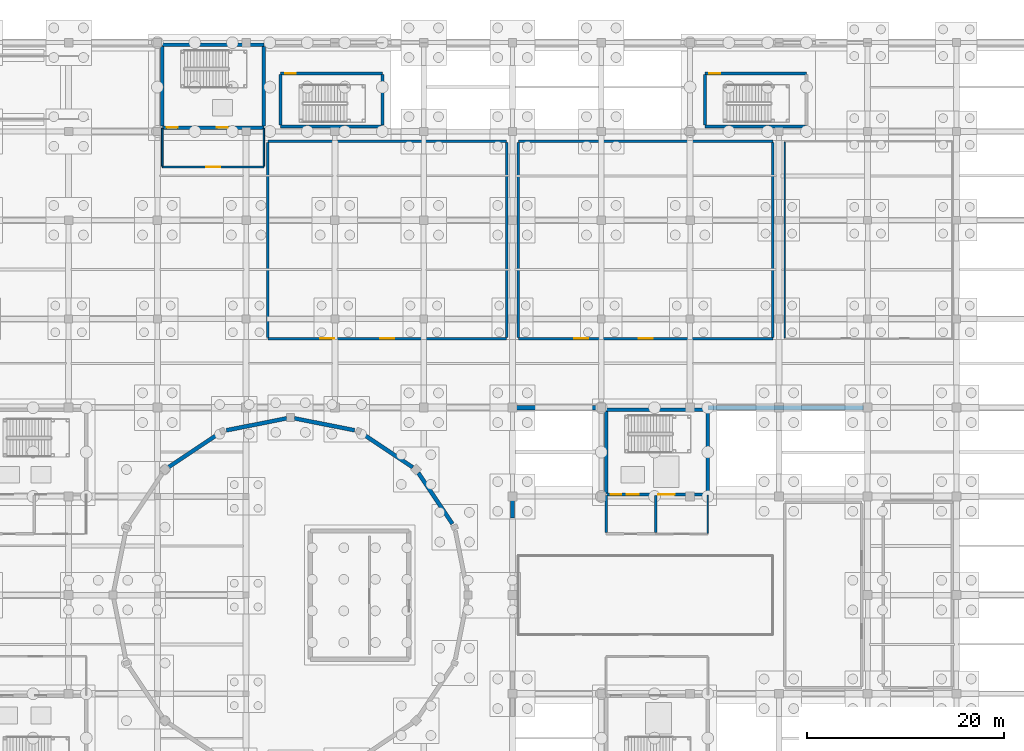
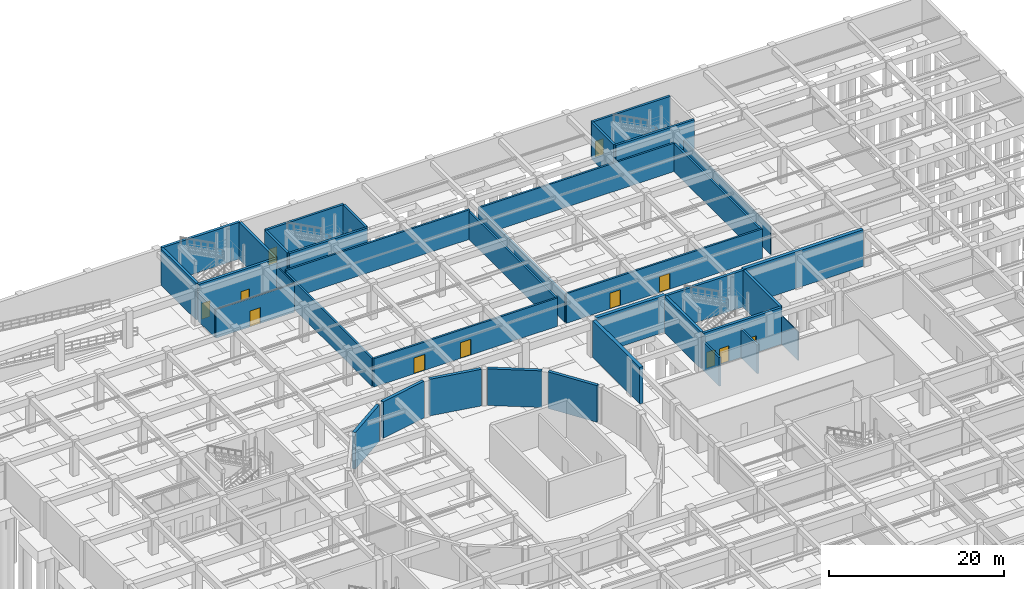
# One storey, part 47 of 62: 38 walls, 12 doors, 12 openings.
"""IFC4 building model written with IfcOpenShell, lengths in metres."""

import ifcopenshell
import ifcopenshell.guid

model = None  # the IFC model being written
_history = None  # IfcOwnerHistory: only IFC2X3 demands one
_inside = {}  # id of a spatial element -> (the spatial element, [elements in it])
_under = {}  # id of a project, library or spatial element -> (it, [spatial elements below it])
_declared = {}  # id of a project -> (the project, [libraries it declares])
_typed = {}  # id of a type object -> (the type object, [elements of that type])
_made_of = {}  # id of a material, layer set ... -> (it, [elements and type objects made of it])


def new_model(schema):
    """Start an empty IFC model of exactly this schema.

    Asked for "IFC4X3", IfcOpenShell would pick the latest addendum, in which some entities
    have other attributes; the version numbers below select the first issue.
    IFC2X3 requires an IfcOwnerHistory on every rooted entity: one is made here for all.
    """
    global model, _history
    if schema == "IFC4X3":
        model = ifcopenshell.file(schema_version=(4, 3, 0, 0))
    else:
        model = ifcopenshell.file(schema=schema)
    _inside.clear()
    _under.clear()
    _declared.clear()
    _typed.clear()
    _made_of.clear()
    _history = None
    if model.schema == "IFC2X3":
        org = make("IfcOrganization", Name="unknown")
        user = make(
            "IfcPersonAndOrganization",
            ThePerson=make("IfcPerson", FamilyName="unknown"),
            TheOrganization=org,
        )
        app = make(
            "IfcApplication",
            ApplicationDeveloper=org,
            Version="unknown",
            ApplicationFullName="unknown",
            ApplicationIdentifier="unknown",
        )
        _history = make(
            "IfcOwnerHistory",
            OwningUser=user,
            OwningApplication=app,
            ChangeAction="ADDED",
            CreationDate=0,
        )
    return model


def make(cls, **values):
    """One entity of the class cls with the attributes given. An attribute that is None is left unset."""
    return model.create_entity(
        cls, **{name: value for name, value in values.items() if value is not None}
    )


def rooted(cls, **values):
    """An entity with a GlobalId (a new one), such as an element, a storey or a relation."""
    return make(cls, GlobalId=ifcopenshell.guid.new(), OwnerHistory=_history, **values)


def si_unit(unit_type, name, prefix=None):
    """IfcSIUnit, for example si_unit("LENGTHUNIT", "METRE", prefix="MILLI")."""
    return make("IfcSIUnit", UnitType=unit_type, Prefix=prefix, Name=name)


def assignment(units):
    """IfcUnitAssignment: the units of a project."""
    return None if units is None else make("IfcUnitAssignment", Units=units)


def point(xyz):
    """IfcCartesianPoint."""
    return None if xyz is None else make("IfcCartesianPoint", Coordinates=xyz)


def direction(xyz):
    """IfcDirection."""
    return None if xyz is None else make("IfcDirection", DirectionRatios=xyz)


def frame(location, z_axis=None, x_axis=None):
    """IfcAxis2Placement3D, a coordinate frame: its origin and axes. An axis left out is left unset."""
    return make(
        "IfcAxis2Placement3D",
        Location=point(location),
        Axis=direction(z_axis),
        RefDirection=direction(x_axis),
    )


def frame_2d(location, x_axis=None):
    """IfcAxis2Placement2D, a coordinate frame in the plane: its origin and x axis."""
    return make(
        "IfcAxis2Placement2D", Location=point(location), RefDirection=direction(x_axis)
    )


def origin():
    """The frame at (0, 0, 0) with its axes left unset."""
    return frame((0.0, 0.0, 0.0))


def place(relative_to, where):
    """IfcLocalPlacement: puts the frame where relative to a parent placement (None: the world)."""
    return make(
        "IfcLocalPlacement", PlacementRelTo=relative_to, RelativePlacement=where
    )


def context(
    kind, dimensions, precision=None, world=None, true_north=None, identifier=None
):
    """IfcGeometricRepresentationContext, for example the 3D "Model" context."""
    return make(
        "IfcGeometricRepresentationContext",
        ContextIdentifier=identifier,
        ContextType=kind,
        CoordinateSpaceDimension=dimensions,
        Precision=precision,
        WorldCoordinateSystem=world,
        TrueNorth=true_north,
    )


def subcontext(parent, identifier, kind, view, scale=None):
    """IfcGeometricRepresentationSubContext, for example "Body" below "Model"."""
    return make(
        "IfcGeometricRepresentationSubContext",
        ContextIdentifier=identifier,
        ContextType=kind,
        ParentContext=parent,
        TargetScale=scale,
        TargetView=view,
    )


def project(units=None, contexts=None):
    """IfcProject with its units and contexts."""
    return rooted(
        "IfcProject",
        Name="project",
        RepresentationContexts=contexts,
        UnitsInContext=assignment(units),
    )


def spatial(cls, under=None, at=None, **own):
    """A site, building, storey or space (cls), placed at a placement, below another one or the project."""
    s = rooted(cls, ObjectPlacement=at, **own)
    if under is not None:
        _under.setdefault(under.id(), (under, []))[1].append(s)
    return s


def profile(cls, at=None, kind="AREA", **sizes):
    """A parametric profile (cls). Its sizes go by their IFC names, for example OverallWidth=200.0."""
    return make(cls, ProfileType=kind, Position=at, **sizes)


def rectangle(**sizes):
    """IfcRectangleProfileDef."""
    return profile("IfcRectangleProfileDef", **sizes)


def extrude(swept, where, along, depth):
    """IfcExtrudedAreaSolid: the profile swept, set in the frame where, extruded along a direction by depth."""
    return make(
        "IfcExtrudedAreaSolid",
        SweptArea=swept,
        Position=where,
        ExtrudedDirection=direction(along),
        Depth=depth,
    )


def shape(context_of_items, identifier, shape_type, items):
    """IfcShapeRepresentation: the items that make up one representation, for example the "Body"."""
    return make(
        "IfcShapeRepresentation",
        ContextOfItems=context_of_items,
        RepresentationIdentifier=identifier,
        RepresentationType=shape_type,
        Items=items,
    )


def material(Name=None, Category=None):
    """IfcMaterial."""
    return make("IfcMaterial", Name=Name, Category=Category)


def layer(
    of_material, thickness, ventilated=None, Name=None, Category=None, Priority=None
):
    """IfcMaterialLayer: one layer of a wall or slab, of a material (None: an air gap)."""
    return make(
        "IfcMaterialLayer",
        Material=of_material,
        LayerThickness=thickness,
        IsVentilated=ventilated,
        Name=Name,
        Category=Category,
        Priority=Priority,
    )


def layer_set(layers, Name=None):
    """IfcMaterialLayerSet."""
    return make("IfcMaterialLayerSet", MaterialLayers=layers, LayerSetName=Name)


def made_of(thing, what):
    """Note that an element or type object is made of a material, layer set ...; save() writes the relation."""
    if what is not None:
        _made_of.setdefault(what.id(), (what, []))[1].append(thing)
    return thing


def type_object(cls, material=None, **own):
    """A type object (cls), such as IfcWallType, which elements share."""
    return made_of(rooted(cls, **own), material)


def element(
    cls,
    number,
    at=None,
    inside=None,
    cuts=None,
    type_object=None,
    material=None,
    context=None,
    identifier="Body",
    shape_type=None,
    held_by="IfcProductDefinitionShape",
    body=None,
    shapes=None,
    **own,
):
    """One element of the class cls, such as IfcWall. Its Tag is "e" and its number.

    at: its placement. inside: the storey or other place that contains it. cuts: it is an
    opening in that element (IfcRelVoidsElement). A single representation is given by context,
    identifier, shape_type and body (its items); several are given by shapes. held_by: the class
    of the entity that holds the representations. save() writes the other relations.
    """
    e = rooted(cls, Tag="e%d" % number, ObjectPlacement=at, **own)
    if body is not None:
        shapes = [shape(context, identifier, shape_type, body)]
    if shapes is not None:
        e.Representation = make(held_by, Representations=shapes)
    if inside is not None:
        _inside.setdefault(inside.id(), (inside, []))[1].append(e)
    if cuts is not None:
        rooted(
            "IfcRelVoidsElement", RelatingBuildingElement=cuts, RelatedOpeningElement=e
        )
    if type_object is not None:
        _typed.setdefault(type_object.id(), (type_object, []))[1].append(e)
    return made_of(e, material)


def fill(opening, filler):
    """IfcRelFillsElement: the door or window that sits in an opening."""
    return rooted(
        "IfcRelFillsElement",
        RelatingOpeningElement=opening,
        RelatedBuildingElement=filler,
    )


def aggregate(whole, parts):
    """IfcRelAggregates: a whole, such as a stair, and the parts it consists of."""
    return rooted("IfcRelAggregates", RelatingObject=whole, RelatedObjects=parts)


def save(model, path):
    """Write the relations noted so far, then the file.

    IfcRelAggregates (storeys below a building ...), IfcRelContainedInSpatialStructure (elements
    in a storey), IfcRelDefinesByType, IfcRelAssociatesMaterial and IfcRelDeclares: one each for
    every whole, place, type object, material and project.
    """
    for whole, parts in _under.values():
        aggregate(whole, parts)
    for where, things in _inside.values():
        rooted(
            "IfcRelContainedInSpatialStructure",
            RelatedElements=things,
            RelatingStructure=where,
        )
    for kind, things in _typed.values():
        rooted("IfcRelDefinesByType", RelatedObjects=things, RelatingType=kind)
    for what, things in _made_of.values():
        rooted("IfcRelAssociatesMaterial", RelatedObjects=things, RelatingMaterial=what)
    for by, libraries in _declared.values():
        rooted("IfcRelDeclares", RelatingContext=by, RelatedDefinitions=libraries)
    model.write(path)


model = new_model("IFC4")

# Units and contexts
model_context = context("Model", 3, precision=1e-05, world=origin(), true_north=direction((0.0, 1.0)))
body_context = subcontext(model_context, "Body", "Model", "MODEL_VIEW")
ifc_project = project(units=[si_unit("LENGTHUNIT", "METRE"), si_unit("AREAUNIT", "SQUARE_METRE"), si_unit("VOLUMEUNIT", "CUBIC_METRE"), si_unit("PLANEANGLEUNIT", "RADIAN"), si_unit("MASSUNIT", "GRAM", prefix="KILO")], contexts=[model_context])

# Site, building, storey
site_placement = place(None, origin())
site = spatial("IfcSite", under=ifc_project, at=site_placement, CompositionType="ELEMENT")
building_placement = place(site_placement, origin())
building = spatial("IfcBuilding", under=site, at=building_placement, Name="Miravela Opera House", CompositionType="ELEMENT")
storey_placement = place(building_placement, frame((0.0, 0.0, -5.10009765625)))
storey = spatial("IfcBuildingStorey", under=building, at=storey_placement, Name="B01", CompositionType="ELEMENT", Elevation=-5.10009765625)

# Walls
ifc_material_1 = material(Name="Double-layer acoustic gypsum partition")
ifc_layer_1 = layer(ifc_material_1, 0.110107421875)
ifc_layer_set_1 = layer_set([ifc_layer_1])
wall_type_1 = type_object("IfcWallType", Name="ARC-PT-110", PredefinedType="PARTITIONING", material=ifc_layer_set_1)
wall_1_placement = place(storey_placement, frame((126.60009765625, 82.054931640625, 0.0), z_axis=(0.0, 0.0, 1.0), x_axis=(0.0, 1.0, 0.0)))
element("IfcWall", 1, at=wall_1_placement, inside=storey, type_object=wall_type_1, Name="Costume and Wardrobe Archive Store Partition West", PredefinedType="PARTITIONING", context=body_context, shape_type="SweptSolid", body=[
    extrude(rectangle(XDim=19.89013671875, YDim=0.110107421875, at=frame_2d((9.945068359375, 0.0))), origin(), (0.0, 0.0, 1.0), 3.91015625),
])
ifc_material_2 = material(Name="Fire-rated acoustic gypsum partition")
ifc_layer_2 = layer(ifc_material_2, 0.1298828125)
ifc_layer_set_2 = layer_set([ifc_layer_2])
wall_type_2 = type_object("IfcWallType", Name="ARC-PT-130", PredefinedType="PARTITIONING", material=ifc_layer_set_2)
wall_2_placement = place(storey_placement, frame((118.800048828125, 62.264892578125, 0.0), z_axis=(0.0, 0.0, 1.0), x_axis=(0.0, 1.0, 0.0)))
element("IfcWall", 2, at=wall_2_placement, inside=storey, type_object=wall_type_2, Name="Passenger Lift Lobby K3 B01 Partition East", PredefinedType="PARTITIONING", context=body_context, shape_type="SweptSolid", body=[
    extrude(rectangle(XDim=3.8701171875, YDim=0.1298828125, at=frame_2d((1.93505859375, 0.0))), origin(), (0.0, 0.0, 1.0), 4.010009765625),
])

# Wall, opening, door
ifc_material_3 = material(Name="Rehearsal isolated acoustic partition")
ifc_layer_3 = layer(ifc_material_3, 0.169921875)
ifc_layer_set_3 = layer_set([ifc_layer_3])
wall_type_3 = type_object("IfcWallType", Name="ARC-PT-170", PredefinedType="PARTITIONING", material=ifc_layer_set_3)
wall_3_placement = place(storey_placement, frame((63.5, 99.39990234375, 0.0), z_axis=(0.0, 0.0, 1.0), x_axis=(1.0, 0.0, 0.0)))
wall_3 = element("IfcWall", 3, at=wall_3_placement, inside=storey, type_object=wall_type_3, Name="Passenger Lift Lobby K5 B01 Partition South", PredefinedType="PARTITIONING", context=body_context, shape_type="SweptSolid", body=[
    extrude(rectangle(XDim=10.300048828125, YDim=0.169921875, at=frame_2d((5.14990234375, 0.0))), origin(), (0.0, 0.0, 1.0), 3.9501953125),
])
opening_1_placement = place(wall_3_placement, frame((4.449951171875, 0.0, 0.0)))
opening_1 = element("IfcOpeningElement", 4, at=opening_1_placement, cuts=wall_3, Name="Opening FD-03", PredefinedType="OPENING", context=body_context, shape_type="SweptSolid", body=[
    extrude(rectangle(XDim=1.39990234375, YDim=2.199951171875, at=frame_2d((0.699951171875, 1.10009765625))), frame((0.0, 0.094970703125, 0.0), z_axis=(0.0, -1.0, 0.0), x_axis=(1.0, 0.0, 0.0)), (0.0, 0.0, 1.0), 0.18994140625),
])
ifc_material_4 = material(Name="Fire-rated lobby/archive double door")
door_type_1 = type_object("IfcDoorType", Name="ARC-FD-1400X2200", OperationType="NOTDEFINED", PredefinedType="DOOR", material=ifc_material_4)
door_1_placement = place(opening_1_placement, frame((1.39990234375, 0.0, 0.0), z_axis=(0.0, 0.0, 1.0), x_axis=(-1.0, 0.0, 0.0)))
door_1 = element("IfcDoor", 5, at=door_1_placement, inside=storey, type_object=door_type_1, Name="Passenger Lift Lobby K5 B01 Entry Door IDR-B01-0066", OperationType="DOUBLE_DOOR_SINGLE_SWING", OverallHeight=2.199951171875, OverallWidth=1.39990234375, PredefinedType="DOOR", context=body_context, shape_type="SweptSolid", body=[
    extrude(rectangle(XDim=1.39990234375, YDim=2.199951171875, at=frame_2d((0.699951171875, 1.10009765625))), frame((0.0, 0.02490234375, 0.0), z_axis=(0.0, -1.0, 0.0), x_axis=(1.0, 0.0, 0.0)), (0.0, 0.0, 1.0), 0.050048828125),
])
fill(opening_1, door_1)

# Walls
wall_4_placement = place(storey_placement, frame((63.5, 99.485107421875, 0.0), z_axis=(0.0, 0.0, 1.0), x_axis=(0.0, 1.0, 0.0)))
element("IfcWall", 6, at=wall_4_placement, inside=storey, type_object=wall_type_3, Name="Passenger Lift Lobby K5 B01 Partition West", PredefinedType="PARTITIONING", context=body_context, shape_type="SweptSolid", body=[
    extrude(rectangle(XDim=3.829833984375, YDim=0.169921875, at=frame_2d((1.9150390625, 0.0))), origin(), (0.0, 0.0, 1.0), 3.9501953125),
])
wall_5_placement = place(storey_placement, frame((73.800048828125, 99.485107421875, 0.0), z_axis=(0.0, 0.0, 1.0), x_axis=(0.0, 1.0, 0.0)))
element("IfcWall", 7, at=wall_5_placement, inside=storey, type_object=wall_type_3, Name="Passenger Lift Lobby K5 B01 Partition East", PredefinedType="PARTITIONING", context=body_context, shape_type="SweptSolid", body=[
    extrude(rectangle(XDim=3.829833984375, YDim=0.169921875, at=frame_2d((1.9150390625, 0.0))), origin(), (0.0, 0.0, 1.0), 4.050048828125),
])
ifc_material_5 = material(Name="Firefighting lobby compartment wall")
ifc_layer_4 = layer(ifc_material_5, 0.25)
ifc_layer_set_4 = layer_set([ifc_layer_4])
wall_type_4 = type_object("IfcWallType", Name="ARC-PT-220", PredefinedType="PARTITIONING", material=ifc_layer_set_4)
for number, where, z_axis, x_axis, name in (
    (8, (108.5, 62.324951171875, 0.0), (0.0, 0.0, 1.0), (0.0, 1.0, 0.0), "Firefighting Lobby K3 B01 Partition West"),
    (9, (113.5, 62.324951171875, 0.0), (0.0, 0.0, 1.0), (0.0, 1.0, 0.0), "Firefighting Lobby K3 B01 Partition East"),
):
    element("IfcWall", number, at=place(storey_placement, frame(where, z_axis=z_axis, x_axis=x_axis)), inside=storey, type_object=wall_type_4, Name=name, PredefinedType="PARTITIONING", context=body_context, shape_type="SweptSolid", body=[
        extrude(rectangle(XDim=3.75, YDim=0.25, at=frame_2d((1.875, 0.0))), origin(), (0.0, 0.0, 1.0), 4.010009765625),
    ])

# Wall, openings, doors
wall_6_placement = place(storey_placement, frame((74.199951171875, 82.0, 0.0), z_axis=(0.0, 0.0, 1.0), x_axis=(1.0, 0.0, 0.0)))
wall_6 = element("IfcWall", 10, at=wall_6_placement, inside=storey, type_object=wall_type_4, Name="Fire-Protection Water Reserve Tank Room Partition South", PredefinedType="PARTITIONING", context=body_context, shape_type="SweptSolid", body=[
    extrude(rectangle(XDim=24.199951171875, YDim=0.25, at=frame_2d((12.10009765625, 0.0))), origin(), (0.0, 0.0, 1.0), 3.9501953125),
])
opening_2_placement = place(wall_6_placement, frame((11.39990234375, 0.0, 0.0)))
opening_2 = element("IfcOpeningElement", 11, at=opening_2_placement, cuts=wall_6, Name="Opening FD-03", PredefinedType="OPENING", context=body_context, shape_type="SweptSolid", body=[
    extrude(rectangle(XDim=1.39990234375, YDim=2.199951171875, at=frame_2d((0.699951171875, 1.10009765625))), frame((0.0, 0.135009765625, 0.0), z_axis=(0.0, -1.0, 0.0), x_axis=(1.0, 0.0, 0.0)), (0.0, 0.0, 1.0), 0.27001953125),
])
opening_3_placement = place(wall_6_placement, frame((5.323974609375, 0.0, 0.0)))
opening_3 = element("IfcOpeningElement", 12, at=opening_3_placement, cuts=wall_6, Name="Opening FD-03", PredefinedType="OPENING", context=body_context, shape_type="SweptSolid", body=[
    extrude(rectangle(XDim=1.39990234375, YDim=2.199951171875, at=frame_2d((0.699951171875, 1.10009765625))), frame((0.0, 0.135009765625, 0.0), z_axis=(0.0, -1.0, 0.0), x_axis=(1.0, 0.0, 0.0)), (0.0, 0.0, 1.0), 0.27001953125),
])
door_2_placement = place(opening_2_placement, frame((1.39990234375, 0.0, 0.0), z_axis=(0.0, 0.0, 1.0), x_axis=(-1.0, 0.0, 0.0)))
door_2 = element("IfcDoor", 13, at=door_2_placement, inside=storey, type_object=door_type_1, Name="Fire-Protection Water Reserve Tank Room Entry Door IDR-B01-0080", OperationType="DOUBLE_DOOR_SINGLE_SWING", OverallHeight=2.199951171875, OverallWidth=1.39990234375, PredefinedType="DOOR", context=body_context, shape_type="SweptSolid", body=[
    extrude(rectangle(XDim=1.39990234375, YDim=2.199951171875, at=frame_2d((0.699951171875, 1.10009765625))), frame((0.0, 0.02490234375, 0.0), z_axis=(0.0, -1.0, 0.0), x_axis=(1.0, 0.0, 0.0)), (0.0, 0.0, 1.0), 0.050048828125),
])
fill(opening_2, door_2)
door_3_placement = place(opening_3_placement, frame((1.39990234375, 0.0, 0.0), z_axis=(0.0, 0.0, 1.0), x_axis=(-1.0, 0.0, 0.0)))
door_3 = element("IfcDoor", 14, at=door_3_placement, inside=storey, type_object=door_type_1, Name="Fire-Protection Water Reserve Tank Room Secondary Exit Door IDR-B01-0081", OperationType="DOUBLE_DOOR_SINGLE_SWING", OverallHeight=2.199951171875, OverallWidth=1.39990234375, PredefinedType="DOOR", context=body_context, shape_type="SweptSolid", body=[
    extrude(rectangle(XDim=1.39990234375, YDim=2.199951171875, at=frame_2d((0.699951171875, 1.10009765625))), frame((0.0, 0.02490234375, 0.0), z_axis=(0.0, -1.0, 0.0), x_axis=(1.0, 0.0, 0.0)), (0.0, 0.0, 1.0), 0.050048828125),
])
fill(opening_3, door_3)

# Walls
wall_7_placement = place(storey_placement, frame((74.199951171875, 102.0, 0.0), z_axis=(0.0, 0.0, 1.0), x_axis=(1.0, 0.0, 0.0)))
element("IfcWall", 15, at=wall_7_placement, inside=storey, type_object=wall_type_4, Name="Fire-Protection Water Reserve Tank Room Partition North", PredefinedType="PARTITIONING", context=body_context, shape_type="SweptSolid", body=[
    extrude(rectangle(XDim=24.199951171875, YDim=0.25, at=frame_2d((12.10009765625, 0.0))), origin(), (0.0, 0.0, 1.0), 4.1201171875),
])
for number, where, z_axis, x_axis, name in (
    (16, (74.199951171875, 82.125, 0.0), (0.0, 0.0, 1.0), (0.0, 1.0, 0.0), "Fire-Protection Water Reserve Tank Room Partition West"),
    (17, (98.39990234375, 82.125, 0.0), (0.0, 0.0, 1.0), (0.0, 1.0, 0.0), "Fire-Protection Water Reserve Tank Room Partition East"),
):
    element("IfcWall", number, at=place(storey_placement, frame(where, z_axis=z_axis, x_axis=x_axis)), inside=storey, type_object=wall_type_4, Name=name, PredefinedType="PARTITIONING", context=body_context, shape_type="SweptSolid", body=[
        extrude(rectangle(XDim=19.75, YDim=0.25, at=frame_2d((9.875, 0.0))), origin(), (0.0, 0.0, 1.0), 3.900146484375),
    ])

# Wall, openings, doors
wall_8_placement = place(storey_placement, frame((99.60009765625, 82.0, 0.0), z_axis=(0.0, 0.0, 1.0), x_axis=(1.0, 0.0, 0.0)))
wall_8 = element("IfcWall", 18, at=wall_8_placement, inside=storey, type_object=wall_type_4, Name="Rainwater Harvesting Cistern and Pump Plant Room Partition South", PredefinedType="PARTITIONING", context=body_context, shape_type="SweptSolid", body=[
    extrude(rectangle(XDim=25.7998046875, YDim=0.25, at=frame_2d((12.89990234375, 0.0))), origin(), (0.0, 0.0, 1.0), 4.1201171875),
])
opening_4_placement = place(wall_8_placement, frame((12.199951171875, 0.0, 0.0)))
opening_4 = element("IfcOpeningElement", 19, at=opening_4_placement, cuts=wall_8, Name="Opening FD-03", PredefinedType="OPENING", context=body_context, shape_type="SweptSolid", body=[
    extrude(rectangle(XDim=1.39990234375, YDim=2.199951171875, at=frame_2d((0.699951171875, 1.10009765625))), frame((0.0, 0.135009765625, 0.0), z_axis=(0.0, -1.0, 0.0), x_axis=(1.0, 0.0, 0.0)), (0.0, 0.0, 1.0), 0.27001953125),
])
opening_5_placement = place(wall_8_placement, frame((5.676025390625, 0.0, 0.0)))
opening_5 = element("IfcOpeningElement", 20, at=opening_5_placement, cuts=wall_8, Name="Opening FD-03", PredefinedType="OPENING", context=body_context, shape_type="SweptSolid", body=[
    extrude(rectangle(XDim=1.39990234375, YDim=2.199951171875, at=frame_2d((0.699951171875, 1.10009765625))), frame((0.0, 0.135009765625, 0.0), z_axis=(0.0, -1.0, 0.0), x_axis=(1.0, 0.0, 0.0)), (0.0, 0.0, 1.0), 0.27001953125),
])
door_4_placement = place(opening_4_placement, frame((1.39990234375, 0.0, 0.0), z_axis=(0.0, 0.0, 1.0), x_axis=(-1.0, 0.0, 0.0)))
door_4 = element("IfcDoor", 21, at=door_4_placement, inside=storey, type_object=door_type_1, Name="Rainwater Harvesting Cistern and Pump Plant Room Entry Door IDR-B01-0082", OperationType="DOUBLE_DOOR_SINGLE_SWING", OverallHeight=2.199951171875, OverallWidth=1.39990234375, PredefinedType="DOOR", context=body_context, shape_type="SweptSolid", body=[
    extrude(rectangle(XDim=1.39990234375, YDim=2.199951171875, at=frame_2d((0.699951171875, 1.10009765625))), frame((0.0, 0.02490234375, 0.0), z_axis=(0.0, -1.0, 0.0), x_axis=(1.0, 0.0, 0.0)), (0.0, 0.0, 1.0), 0.050048828125),
])
fill(opening_4, door_4)
door_5_placement = place(opening_5_placement, frame((1.39990234375, 0.0, 0.0), z_axis=(0.0, 0.0, 1.0), x_axis=(-1.0, 0.0, 0.0)))
door_5 = element("IfcDoor", 22, at=door_5_placement, inside=storey, type_object=door_type_1, Name="Rainwater Harvesting Cistern and Pump Plant Room Secondary Exit Door IDR-B01-0083", OperationType="DOUBLE_DOOR_SINGLE_SWING", OverallHeight=2.199951171875, OverallWidth=1.39990234375, PredefinedType="DOOR", context=body_context, shape_type="SweptSolid", body=[
    extrude(rectangle(XDim=1.39990234375, YDim=2.199951171875, at=frame_2d((0.699951171875, 1.10009765625))), frame((0.0, 0.02490234375, 0.0), z_axis=(0.0, -1.0, 0.0), x_axis=(1.0, 0.0, 0.0)), (0.0, 0.0, 1.0), 0.050048828125),
])
fill(opening_5, door_5)

# Walls
wall_9_placement = place(storey_placement, frame((99.60009765625, 102.0, 0.0), z_axis=(0.0, 0.0, 1.0), x_axis=(1.0, 0.0, 0.0)))
element("IfcWall", 23, at=wall_9_placement, inside=storey, type_object=wall_type_4, Name="Rainwater Harvesting Cistern and Pump Plant Room Partition North", PredefinedType="PARTITIONING", context=body_context, shape_type="SweptSolid", body=[
    extrude(rectangle(XDim=25.7998046875, YDim=0.25, at=frame_2d((12.89990234375, 0.0))), origin(), (0.0, 0.0, 1.0), 3.9501953125),
])
wall_10_placement = place(storey_placement, frame((99.60009765625, 82.125, 0.0), z_axis=(0.0, 0.0, 1.0), x_axis=(0.0, 1.0, 0.0)))
element("IfcWall", 24, at=wall_10_placement, inside=storey, type_object=wall_type_4, Name="Rainwater Harvesting Cistern and Pump Plant Room Partition West", PredefinedType="PARTITIONING", context=body_context, shape_type="SweptSolid", body=[
    extrude(rectangle(XDim=19.75, YDim=0.25, at=frame_2d((9.875, 0.0))), origin(), (0.0, 0.0, 1.0), 3.900146484375),
])
wall_11_placement = place(storey_placement, frame((125.39990234375, 82.125, 0.0), z_axis=(0.0, 0.0, 1.0), x_axis=(0.0, 1.0, 0.0)))
element("IfcWall", 25, at=wall_11_placement, inside=storey, type_object=wall_type_4, Name="Rainwater Harvesting Cistern and Pump Plant Room Partition East", PredefinedType="PARTITIONING", context=body_context, shape_type="SweptSolid", body=[
    extrude(rectangle(XDim=19.75, YDim=0.25, at=frame_2d((9.875, 0.0))), origin(), (0.0, 0.0, 1.0), 3.91015625),
])

# Wall, openings, doors
ifc_material_6 = material(Name="Concrete C40/50", Category="concrete")
ifc_layer_5 = layer(ifc_material_6, 0.35009765625)
ifc_layer_set_5 = layer_set([ifc_layer_5])
wall_type_5 = type_object("IfcWallType", Name="STR-WALL-CORE-350", PredefinedType="SHEAR", material=ifc_layer_set_5)
wall_12_placement = place(storey_placement, frame((108.5, 66.199951171875, 0.0), z_axis=(0.0, 0.0, 1.0), x_axis=(1.0, 0.0, 0.0)))
wall_12 = element("IfcWall", 26, at=wall_12_placement, inside=storey, type_object=wall_type_5, Name="Core K3 Shear Wall South (B01)", PredefinedType="SHEAR", context=body_context, shape_type="SweptSolid", body=[
    extrude(rectangle(XDim=10.300048828125, YDim=0.35009765625, at=frame_2d((5.14990234375, 0.0))), origin(), (0.0, 0.0, 1.0), 5.10009765625),
])
opening_6_placement = place(wall_12_placement, frame((0.449951171875, 0.0, 0.0)))
opening_6 = element("IfcOpeningElement", 27, at=opening_6_placement, cuts=wall_12, Name="Opening FD-01", PredefinedType="OPENING", context=body_context, shape_type="SweptSolid", body=[
    extrude(rectangle(XDim=1.10009765625, YDim=2.199951171875, at=frame_2d((0.550048828125, 1.10009765625))), frame((0.0, 0.18505859375, 0.0), z_axis=(0.0, -1.0, 0.0), x_axis=(1.0, 0.0, 0.0)), (0.0, 0.0, 1.0), 0.3701171875),
])
opening_7_placement = place(wall_12_placement, frame((2.090087890625, 0.0, 0.0)))
opening_7 = element("IfcOpeningElement", 28, at=opening_7_placement, cuts=wall_12, Name="Opening LD-01", PredefinedType="OPENING", context=body_context, shape_type="SweptSolid", body=[
    extrude(rectangle(XDim=1.219970703125, YDim=2.199951171875, at=frame_2d((0.60986328125, 1.10009765625))), frame((0.0, 0.18505859375, 0.0), z_axis=(0.0, -1.0, 0.0), x_axis=(1.0, 0.0, 0.0)), (0.0, 0.0, 1.0), 0.3701171875),
])
opening_8_placement = place(wall_12_placement, frame((5.27490234375, 0.0, 0.0)))
opening_8 = element("IfcOpeningElement", 29, at=opening_8_placement, cuts=wall_12, Name="Opening LD-03", PredefinedType="OPENING", context=body_context, shape_type="SweptSolid", body=[
    extrude(rectangle(XDim=1.64990234375, YDim=2.340087890625, at=frame_2d((0.824951171875, 1.169921875))), frame((0.0, 0.18505859375, 0.0), z_axis=(0.0, -1.0, 0.0), x_axis=(1.0, 0.0, 0.0)), (0.0, 0.0, 1.0), 0.3701171875),
])
ifc_material_7 = material(Name="Fire-rated steel/hardwood exit stair door", Category="steel")
door_type_2 = type_object("IfcDoorType", Name="ARC-FD-1100X2200", OperationType="NOTDEFINED", PredefinedType="DOOR", material=ifc_material_7)
door_6_placement = place(opening_6_placement, origin())
door_6 = element("IfcDoor", 30, at=door_6_placement, inside=storey, type_object=door_type_2, Name="Exit Stair ST-03 Rated Door (B01) IDR-B01-0015", OperationType="SINGLE_SWING_LEFT", OverallHeight=2.199951171875, OverallWidth=1.10009765625, PredefinedType="DOOR", context=body_context, shape_type="SweptSolid", body=[
    extrude(rectangle(XDim=1.10009765625, YDim=2.199951171875, at=frame_2d((0.550048828125, 1.10009765625))), frame((0.0, 0.02490234375, 0.0), z_axis=(0.0, -1.0, 0.0), x_axis=(1.0, 0.0, 0.0)), (0.0, 0.0, 1.0), 0.050048828125),
])
fill(opening_6, door_6)
ifc_material_8 = material(Name="Brushed stainless and bronze fire-rated lift landing door")
door_type_3 = type_object("IfcDoorType", Name="ARC-LD-FFL-1200X2200", OperationType="SLIDING_TO_LEFT", PredefinedType="DOOR", material=ifc_material_8)
door_7_placement = place(opening_7_placement, origin())
door_7 = element("IfcDoor", 31, at=door_7_placement, inside=storey, type_object=door_type_3, Name="Lift Landing Door FFL-02 (B01)", OperationType="SLIDING_TO_LEFT", OverallHeight=2.199951171875, OverallWidth=1.219970703125, PredefinedType="DOOR", context=body_context, shape_type="SweptSolid", body=[
    extrude(rectangle(XDim=1.219970703125, YDim=2.199951171875, at=frame_2d((0.60986328125, 1.10009765625))), frame((0.0, 0.02490234375, 0.0), z_axis=(0.0, -1.0, 0.0), x_axis=(1.0, 0.0, 0.0)), (0.0, 0.0, 1.0), 0.050048828125),
])
fill(opening_7, door_7)
door_type_4 = type_object("IfcDoorType", Name="ARC-LD-FRT-1650X2350", OperationType="SLIDING_TO_LEFT", PredefinedType="DOOR", material=ifc_material_8)
door_8_placement = place(opening_8_placement, origin())
door_8 = element("IfcDoor", 32, at=door_8_placement, inside=storey, type_object=door_type_4, Name="Lift Landing Door FL-01 (B01)", OperationType="SLIDING_TO_LEFT", OverallHeight=2.340087890625, OverallWidth=1.64990234375, PredefinedType="DOOR", context=body_context, shape_type="SweptSolid", body=[
    extrude(rectangle(XDim=1.64990234375, YDim=2.340087890625, at=frame_2d((0.824951171875, 1.169921875))), frame((0.0, 0.02490234375, 0.0), z_axis=(0.0, -1.0, 0.0), x_axis=(1.0, 0.0, 0.0)), (0.0, 0.0, 1.0), 0.050048828125),
])
fill(opening_8, door_8)

# Walls
wall_13_placement = place(storey_placement, frame((108.5, 74.800048828125, 0.0), z_axis=(0.0, 0.0, 1.0), x_axis=(1.0, 0.0, 0.0)))
element("IfcWall", 33, at=wall_13_placement, inside=storey, type_object=wall_type_5, Name="Core K3 Shear Wall North (B01)", PredefinedType="SHEAR", context=body_context, shape_type="SweptSolid", body=[
    extrude(rectangle(XDim=10.300048828125, YDim=0.35009765625, at=frame_2d((5.14990234375, 0.0))), origin(), (0.0, 0.0, 1.0), 5.10009765625),
])
for number, where, z_axis, x_axis, name in (
    (34, (108.5, 66.375, 0.0), (0.0, 0.0, 1.0), (0.0, 1.0, 0.0), "Core K3 Shear Wall West (B01)"),
    (35, (118.800048828125, 66.375, 0.0), (0.0, 0.0, 1.0), (0.0, 1.0, 0.0), "Core K3 Shear Wall East (B01)"),
):
    element("IfcWall", number, at=place(storey_placement, frame(where, z_axis=z_axis, x_axis=x_axis)), inside=storey, type_object=wall_type_5, Name=name, PredefinedType="SHEAR", context=body_context, shape_type="SweptSolid", body=[
        extrude(rectangle(XDim=8.25, YDim=0.35009765625, at=frame_2d((4.125, 0.0))), origin(), (0.0, 0.0, 1.0), 5.10009765625),
    ])

# Wall, openings, doors
wall_14_placement = place(storey_placement, frame((63.5, 103.39990234375, 0.0), z_axis=(0.0, 0.0, 1.0), x_axis=(1.0, 0.0, 0.0)))
wall_14 = element("IfcWall", 36, at=wall_14_placement, inside=storey, type_object=wall_type_5, Name="Core K5 Shear Wall South (B01)", PredefinedType="SHEAR", context=body_context, shape_type="SweptSolid", body=[
    extrude(rectangle(XDim=10.300048828125, YDim=0.35009765625, at=frame_2d((5.14990234375, 0.0))), origin(), (0.0, 0.0, 1.0), 5.10009765625),
])
opening_9_placement = place(wall_14_placement, frame((0.449951171875, 0.0, 0.0)))
opening_9 = element("IfcOpeningElement", 37, at=opening_9_placement, cuts=wall_14, Name="Opening FD-01", PredefinedType="OPENING", context=body_context, shape_type="SweptSolid", body=[
    extrude(rectangle(XDim=1.10009765625, YDim=2.199951171875, at=frame_2d((0.550048828125, 1.10009765625))), frame((0.0, 0.18505859375, 0.0), z_axis=(0.0, -1.0, 0.0), x_axis=(1.0, 0.0, 0.0)), (0.0, 0.0, 1.0), 0.3701171875),
])
opening_10_placement = place(wall_14_placement, frame((5.5400390625, 0.0, 0.0)))
opening_10 = element("IfcOpeningElement", 38, at=opening_10_placement, cuts=wall_14, Name="Opening LD-02", PredefinedType="OPENING", context=body_context, shape_type="SweptSolid", body=[
    extrude(rectangle(XDim=1.1201171875, YDim=2.159912109375, at=frame_2d((0.56005859375, 1.080078125))), frame((0.0, 0.18505859375, 0.0), z_axis=(0.0, -1.0, 0.0), x_axis=(1.0, 0.0, 0.0)), (0.0, 0.0, 1.0), 0.3701171875),
])
door_9_placement = place(opening_9_placement, origin())
door_9 = element("IfcDoor", 39, at=door_9_placement, inside=storey, type_object=door_type_2, Name="Exit Stair ST-05 Rated Door (B01) IDR-B01-0030", OperationType="SINGLE_SWING_RIGHT", OverallHeight=2.199951171875, OverallWidth=1.10009765625, PredefinedType="DOOR", context=body_context, shape_type="SweptSolid", body=[
    extrude(rectangle(XDim=1.10009765625, YDim=2.199951171875, at=frame_2d((0.550048828125, 1.10009765625))), frame((0.0, 0.02490234375, 0.0), z_axis=(0.0, -1.0, 0.0), x_axis=(1.0, 0.0, 0.0)), (0.0, 0.0, 1.0), 0.050048828125),
])
fill(opening_9, door_9)
door_type_5 = type_object("IfcDoorType", Name="ARC-LD-PAX-1100X2150", OperationType="SLIDING_TO_LEFT", PredefinedType="DOOR", material=ifc_material_8)
door_10_placement = place(opening_10_placement, origin())
door_10 = element("IfcDoor", 40, at=door_10_placement, inside=storey, type_object=door_type_5, Name="Lift Landing Door PL-04 (B01)", OperationType="SLIDING_TO_LEFT", OverallHeight=2.159912109375, OverallWidth=1.1201171875, PredefinedType="DOOR", context=body_context, shape_type="SweptSolid", body=[
    extrude(rectangle(XDim=1.1201171875, YDim=2.159912109375, at=frame_2d((0.56005859375, 1.080078125))), frame((0.0, 0.02490234375, 0.0), z_axis=(0.0, -1.0, 0.0), x_axis=(1.0, 0.0, 0.0)), (0.0, 0.0, 1.0), 0.050048828125),
])
fill(opening_10, door_10)

# Walls
wall_15_placement = place(storey_placement, frame((63.5, 111.800048828125, 0.0), z_axis=(0.0, 0.0, 1.0), x_axis=(1.0, 0.0, 0.0)))
element("IfcWall", 41, at=wall_15_placement, inside=storey, type_object=wall_type_5, Name="Core K5 Shear Wall North (B01)", PredefinedType="SHEAR", context=body_context, shape_type="SweptSolid", body=[
    extrude(rectangle(XDim=10.300048828125, YDim=0.35009765625, at=frame_2d((5.14990234375, 0.0))), origin(), (0.0, 0.0, 1.0), 5.10009765625),
])
for number, where, z_axis, x_axis, name in (
    (42, (63.5, 103.574951171875, 0.0), (0.0, 0.0, 1.0), (0.0, 1.0, 0.0), "Core K5 Shear Wall West (B01)"),
    (43, (73.800048828125, 103.574951171875, 0.0), (0.0, 0.0, 1.0), (0.0, 1.0, 0.0), "Core K5 Shear Wall East (B01)"),
):
    element("IfcWall", number, at=place(storey_placement, frame(where, z_axis=z_axis, x_axis=x_axis)), inside=storey, type_object=wall_type_5, Name=name, PredefinedType="SHEAR", context=body_context, shape_type="SweptSolid", body=[
        extrude(rectangle(XDim=8.050048828125, YDim=0.35009765625, at=frame_2d((4.02490234375, 0.0))), origin(), (0.0, 0.0, 1.0), 5.10009765625),
    ])
ifc_layer_6 = layer(ifc_material_6, 0.39990234375)
ifc_layer_set_6 = layer_set([ifc_layer_6])
wall_type_6 = type_object("IfcWallType", Name="STR-WALL-DRUM-400", PredefinedType="SHEAR", material=ifc_layer_set_6)
for number, where, z_axis, x_axis, name in (
    (44, (92.90771484375, 63.220947265625, 0.0), (0.0, 0.0, 1.0), (-0.555587101324, 0.831458341015, 0.0), "Auditorium Drum Shear Wall B01 Seg 2"),
    (45, (88.895263671875, 68.9501953125, 0.0), (0.0, 0.0, 1.0), (-0.831458341015, 0.555587101324, 0.0), "Auditorium Drum Shear Wall B01 Seg 3"),
):
    element("IfcWall", number, at=place(storey_placement, frame(where, z_axis=z_axis, x_axis=x_axis)), inside=storey, type_object=wall_type_6, Name=name, PredefinedType="SHEAR", context=body_context, shape_type="SweptSolid", body=[
        extrude(rectangle(XDim=6.22314453125, YDim=0.39990234375, at=frame_2d((3.111572265625, 0.0))), origin(), (0.0, 0.0, 1.0), 5.10009765625),
    ])
for number, where, z_axis, x_axis, name in (
    (46, (82.99609375, 72.707763671875, 0.0), (0.0, 0.0, 1.0), (-0.980777834218, 0.195127752786, 0.0), "Auditorium Drum Shear Wall B01 Seg 4"),
    (47, (76.107666015625, 73.922119140625, 0.0), (0.0, 0.0, 1.0), (-0.980777834218, -0.195127752786, 0.0), "Auditorium Drum Shear Wall B01 Seg 5"),
):
    element("IfcWall", number, at=place(storey_placement, frame(where, z_axis=z_axis, x_axis=x_axis)), inside=storey, type_object=wall_type_6, Name=name, PredefinedType="SHEAR", context=body_context, shape_type="SweptSolid", body=[
        extrude(rectangle(XDim=6.223388671875, YDim=0.39990234375, at=frame_2d((3.11181640625, 0.0))), origin(), (0.0, 0.0, 1.0), 5.10009765625),
    ])
wall_16_placement = place(storey_placement, frame((69.279052734375, 72.40771484375, 0.0), z_axis=(0.0, 0.0, 1.0), x_axis=(-0.831458341015, -0.555587101324, 0.0)))
element("IfcWall", 48, at=wall_16_placement, inside=storey, type_object=wall_type_6, Name="Auditorium Drum Shear Wall B01 Seg 6", PredefinedType="SHEAR", context=body_context, shape_type="SweptSolid", body=[
    extrude(rectangle(XDim=6.22314453125, YDim=0.39990234375, at=frame_2d((3.111572265625, 0.0))), origin(), (0.0, 0.0, 1.0), 5.10009765625),
])
ifc_layer_7 = layer(ifc_material_6, 0.449951171875)
ifc_layer_set_7 = layer_set([ifc_layer_7])
wall_type_7 = type_object("IfcWallType", Name="STR-WALL-PROSC-450", PredefinedType="SHEAR", material=ifc_layer_set_7)
wall_17_placement = place(storey_placement, frame((99.0, 63.800048828125, 0.0), z_axis=(0.0, 0.0, 1.0), x_axis=(0.0, 1.0, 0.0)))
element("IfcWall", 49, at=wall_17_placement, inside=storey, type_object=wall_type_7, Name="Proscenium Shear Wall North (B01)", PredefinedType="SHEAR", context=body_context, shape_type="SweptSolid", body=[
    extrude(rectangle(XDim=10.75, YDim=0.449951171875, at=frame_2d((5.375, 0.0))), origin(), (0.0, 0.0, 1.0), 5.10009765625),
])
wall_18_placement = place(storey_placement, frame((99.425048828125, 75.0, 0.0), z_axis=(0.0, 0.0, 1.0), x_axis=(1.0, 0.0, 0.0)))
element("IfcWall", 50, at=wall_18_placement, inside=storey, type_object=wall_type_7, Name="Stage House North Shear Wall W (B01)", PredefinedType="SHEAR", context=body_context, shape_type="SweptSolid", body=[
    extrude(rectangle(XDim=9.074951171875, YDim=0.449951171875, at=frame_2d((4.53759765625, 0.0))), origin(), (0.0, 0.0, 1.0), 5.10009765625),
])
wall_19_placement = place(storey_placement, frame((118.800048828125, 75.0, 0.0), z_axis=(0.0, 0.0, 1.0), x_axis=(1.0, 0.0, 0.0)))
element("IfcWall", 51, at=wall_19_placement, inside=storey, type_object=wall_type_7, Name="Stage House North Shear Wall E (B01)", PredefinedType="SHEAR", context=body_context, shape_type="SweptSolid", body=[
    extrude(rectangle(XDim=15.77490234375, YDim=0.449951171875, at=frame_2d((7.887451171875, 0.0))), origin(), (0.0, 0.0, 1.0), 5.10009765625),
])
ifc_material_9 = material(Name="Concrete C35/45", Category="concrete")
ifc_layer_8 = layer(ifc_material_9, 0.300048828125)
ifc_layer_set_8 = layer_set([ifc_layer_8])
wall_type_8 = type_object("IfcWallType", Name="STR-WALL-WING-300", PredefinedType="SHEAR", material=ifc_layer_set_8)
wall_20_placement = place(storey_placement, frame((75.5, 103.5, 0.0), z_axis=(0.0, 0.0, 1.0), x_axis=(1.0, 0.0, 0.0)))
element("IfcWall", 52, at=wall_20_placement, inside=storey, type_object=wall_type_8, Name="Core ST-07 Shear Wall South (B01)", PredefinedType="SHEAR", context=body_context, shape_type="SweptSolid", body=[
    extrude(rectangle(XDim=10.300048828125, YDim=0.300048828125, at=frame_2d((5.14990234375, 0.0))), origin(), (0.0, 0.0, 1.0), 5.10009765625),
])

# Wall, opening, door
wall_21_placement = place(storey_placement, frame((75.5, 108.89990234375, 0.0), z_axis=(0.0, 0.0, 1.0), x_axis=(1.0, 0.0, 0.0)))
wall_21 = element("IfcWall", 53, at=wall_21_placement, inside=storey, type_object=wall_type_8, Name="Core ST-07 Shear Wall North (B01)", PredefinedType="SHEAR", context=body_context, shape_type="SweptSolid", body=[
    extrude(rectangle(XDim=10.300048828125, YDim=0.300048828125, at=frame_2d((5.14990234375, 0.0))), origin(), (0.0, 0.0, 1.0), 5.10009765625),
])
opening_11_placement = place(wall_21_placement, frame((0.449951171875, 0.0, 0.0)))
opening_11 = element("IfcOpeningElement", 54, at=opening_11_placement, cuts=wall_21, Name="Opening FD-01", PredefinedType="OPENING", context=body_context, shape_type="SweptSolid", body=[
    extrude(rectangle(XDim=1.10009765625, YDim=2.199951171875, at=frame_2d((0.550048828125, 1.10009765625))), frame((0.0, 0.159912109375, 0.0), z_axis=(0.0, -1.0, 0.0), x_axis=(1.0, 0.0, 0.0)), (0.0, 0.0, 1.0), 0.320068359375),
])
door_11_placement = place(opening_11_placement, frame((1.10009765625, 0.0, 0.0), z_axis=(0.0, 0.0, 1.0), x_axis=(-1.0, 0.0, 0.0)))
door_11 = element("IfcDoor", 55, at=door_11_placement, inside=storey, type_object=door_type_2, Name="Exit Stair ST-07 Rated Door (B01) IDR-B01-0041", OperationType="SINGLE_SWING_LEFT", OverallHeight=2.199951171875, OverallWidth=1.10009765625, PredefinedType="DOOR", context=body_context, shape_type="SweptSolid", body=[
    extrude(rectangle(XDim=1.10009765625, YDim=2.199951171875, at=frame_2d((0.550048828125, 1.10009765625))), frame((0.0, 0.02490234375, 0.0), z_axis=(0.0, -1.0, 0.0), x_axis=(1.0, 0.0, 0.0)), (0.0, 0.0, 1.0), 0.050048828125),
])
fill(opening_11, door_11)

# Walls
for number, where, z_axis, x_axis, name in (
    (56, (75.5, 103.64990234375, 0.0), (0.0, 0.0, 1.0), (0.0, 1.0, 0.0), "Core ST-07 Shear Wall West (B01)"),
    (57, (85.800048828125, 103.64990234375, 0.0), (0.0, 0.0, 1.0), (0.0, 1.0, 0.0), "Core ST-07 Shear Wall East (B01)"),
):
    element("IfcWall", number, at=place(storey_placement, frame(where, z_axis=z_axis, x_axis=x_axis)), inside=storey, type_object=wall_type_8, Name=name, PredefinedType="SHEAR", context=body_context, shape_type="SweptSolid", body=[
        extrude(rectangle(XDim=5.10009765625, YDim=0.300048828125, at=frame_2d((2.550048828125, 0.0))), origin(), (0.0, 0.0, 1.0), 5.10009765625),
    ])
wall_22_placement = place(storey_placement, frame((118.5, 103.5, 0.0), z_axis=(0.0, 0.0, 1.0), x_axis=(1.0, 0.0, 0.0)))
element("IfcWall", 58, at=wall_22_placement, inside=storey, type_object=wall_type_8, Name="Core ST-09 Shear Wall South (B01)", PredefinedType="SHEAR", context=body_context, shape_type="SweptSolid", body=[
    extrude(rectangle(XDim=10.300048828125, YDim=0.300048828125, at=frame_2d((5.14990234375, 0.0))), origin(), (0.0, 0.0, 1.0), 5.10009765625),
])

# Wall, opening, door
wall_23_placement = place(storey_placement, frame((118.5, 108.89990234375, 0.0), z_axis=(0.0, 0.0, 1.0), x_axis=(1.0, 0.0, 0.0)))
wall_23 = element("IfcWall", 59, at=wall_23_placement, inside=storey, type_object=wall_type_8, Name="Core ST-09 Shear Wall North (B01)", PredefinedType="SHEAR", context=body_context, shape_type="SweptSolid", body=[
    extrude(rectangle(XDim=10.300048828125, YDim=0.300048828125, at=frame_2d((5.14990234375, 0.0))), origin(), (0.0, 0.0, 1.0), 5.10009765625),
])
opening_12_placement = place(wall_23_placement, frame((0.449951171875, 0.0, 0.0)))
opening_12 = element("IfcOpeningElement", 60, at=opening_12_placement, cuts=wall_23, Name="Opening FD-01", PredefinedType="OPENING", context=body_context, shape_type="SweptSolid", body=[
    extrude(rectangle(XDim=1.10009765625, YDim=2.199951171875, at=frame_2d((0.550048828125, 1.10009765625))), frame((0.0, 0.159912109375, 0.0), z_axis=(0.0, -1.0, 0.0), x_axis=(1.0, 0.0, 0.0)), (0.0, 0.0, 1.0), 0.320068359375),
])
door_12_placement = place(opening_12_placement, frame((1.10009765625, 0.0, 0.0), z_axis=(0.0, 0.0, 1.0), x_axis=(-1.0, 0.0, 0.0)))
door_12 = element("IfcDoor", 61, at=door_12_placement, inside=storey, type_object=door_type_2, Name="Exit Stair ST-09 Rated Door (B01) IDR-B01-0050", OperationType="SINGLE_SWING_RIGHT", OverallHeight=2.199951171875, OverallWidth=1.10009765625, PredefinedType="DOOR", context=body_context, shape_type="SweptSolid", body=[
    extrude(rectangle(XDim=1.10009765625, YDim=2.199951171875, at=frame_2d((0.550048828125, 1.10009765625))), frame((0.0, 0.02490234375, 0.0), z_axis=(0.0, -1.0, 0.0), x_axis=(1.0, 0.0, 0.0)), (0.0, 0.0, 1.0), 0.050048828125),
])
fill(opening_12, door_12)

# Wall
wall_24_placement = place(storey_placement, frame((118.5, 103.64990234375, 0.0), z_axis=(0.0, 0.0, 1.0), x_axis=(0.0, 1.0, 0.0)))
element("IfcWall", 62, at=wall_24_placement, inside=storey, type_object=wall_type_8, Name="Core ST-09 Shear Wall West (B01)", PredefinedType="SHEAR", context=body_context, shape_type="SweptSolid", body=[
    extrude(rectangle(XDim=5.10009765625, YDim=0.300048828125, at=frame_2d((2.550048828125, 0.0))), origin(), (0.0, 0.0, 1.0), 5.10009765625),
])

save(model, "model.ifc")
